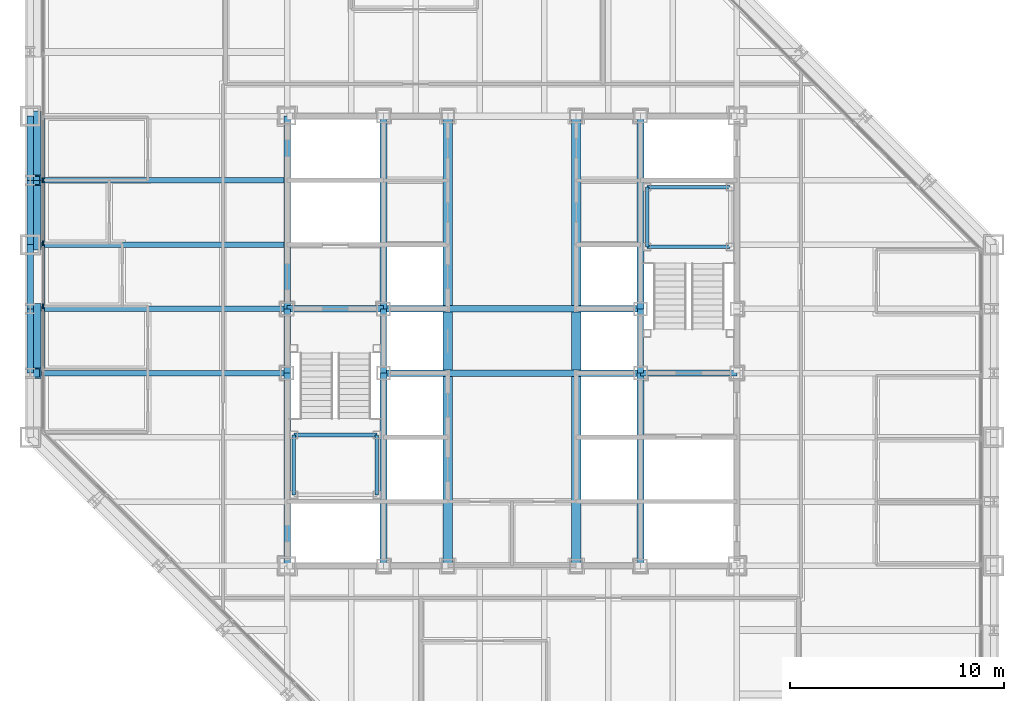
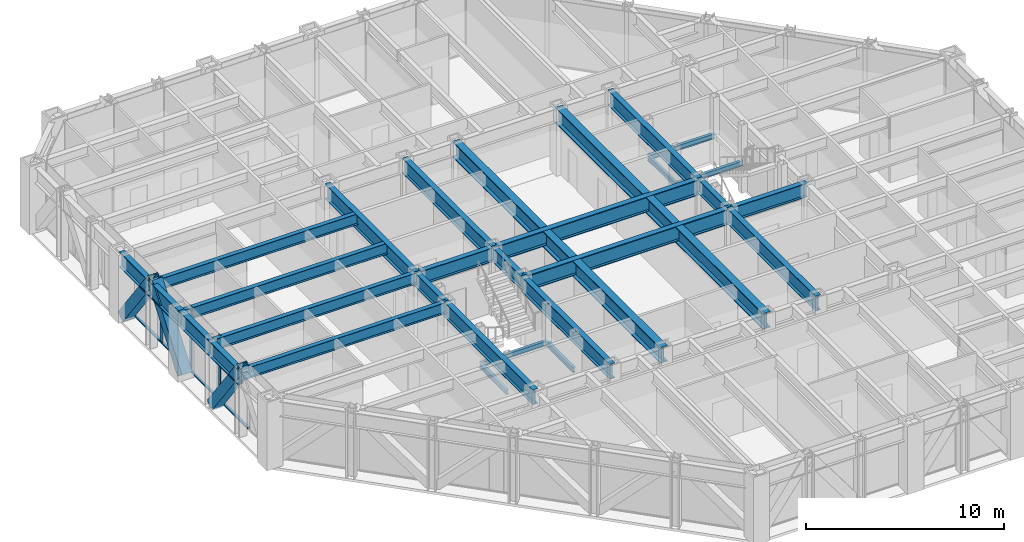
# One storey, part 5 of 16: 33 beams, 10 members, 1 element without a shape of its own.
"""IFC4 building model written with IfcOpenShell, lengths in metres."""

from ifc_helpers import new_model, si_unit, direction, frame, origin, origin_2d, place, context, subcontext, project, spatial, rectangle, hollow_rectangle, i_section, extrude, material, layer, layer_set, material_profile, profile_set, type_object, element, aggregate, save


model = new_model("IFC4")

# Units and contexts
model_context = context("Model", 3, precision=1e-05, world=origin(), true_north=direction((0.0, 1.0)))
body_context = subcontext(model_context, "Body", "Model", "MODEL_VIEW")
ifc_project = project(units=[si_unit("LENGTHUNIT", "METRE"), si_unit("AREAUNIT", "SQUARE_METRE"), si_unit("VOLUMEUNIT", "CUBIC_METRE"), si_unit("PLANEANGLEUNIT", "RADIAN"), si_unit("MASSUNIT", "GRAM", prefix="KILO")], contexts=[model_context])

# Site, building, storey
site_placement = place(None, origin())
site = spatial("IfcSite", under=ifc_project, at=site_placement, CompositionType="ELEMENT")
building_placement = place(site_placement, origin())
building = spatial("IfcBuilding", under=site, at=building_placement, Name="Chuquiago Exchange Tower", CompositionType="ELEMENT")
storey_placement = place(building_placement, frame((0.0, 0.0, 148.800048828125)))
storey = spatial("IfcBuildingStorey", under=building, at=storey_placement, Name="L32", CompositionType="ELEMENT", Elevation=148.800048828125)

# Beams
ifc_material_1 = material(Name="Steel ASTM A992", Category="steel")
ifc_material_profile_1 = material_profile(ifc_material_1, i_section(OverallWidth=0.25390625, OverallDepth=0.683349609375, WebThickness=0.012451171875, FlangeThickness=0.018798828125, at=origin_2d()), Name="W27X94")
ifc_profile_set_1 = profile_set([ifc_material_profile_1], Name="Steel ASTM A992")
beam_type_1 = type_object("IfcBeamType", Name="B1 W27X94", PredefinedType="BEAM", material=ifc_profile_set_1)
for number, where, z_axis, x_axis, name in (
    (1, (12.0, 21.0, 3.6982421875), (-1.0, 0.0, 0.0), (0.0, -1.0, 0.0), "FB-L33-infill-12_21--0_21-0"),
    (2, (12.0, 24.0, 3.6982421875), (-1.0, 0.0, 0.0), (0.0, -1.0, 0.0), "FB-L33-infill-12_24--0_24-0"),
    (3, (12.0, 27.0, 3.6982421875), (-1.0, 0.0, 0.0), (0.0, -1.0, 0.0), "FB-L33-infill-12_27--0_27-0"),
    (4, (12.0, 30.0, 3.6982421875), (-1.0, 0.0, 0.0), (0.0, -1.0, 0.0), "FB-L33-infill-12_30--0_30-0"),
):
    element("IfcBeam", number, at=place(storey_placement, frame(where, z_axis=z_axis, x_axis=x_axis)), inside=storey, type_object=beam_type_1, Name=name, PredefinedType="BEAM", context=body_context, shape_type="SweptSolid", body=[
        extrude(i_section(OverallWidth=0.25390625, OverallDepth=0.683349609375, WebThickness=0.012451171875, FlangeThickness=0.018798828125, at=origin_2d()), origin(), (0.0, 0.0, 1.0), 12.0),
    ])
ifc_material_2 = material(Name="Steel ASTM A992", Category="steel")
ifc_material_profile_2 = material_profile(ifc_material_2, i_section(OverallWidth=0.307373046875, OverallDepth=0.927001953125, WebThickness=0.01953125, FlangeThickness=0.031982421875, at=origin_2d()), Name="W36X194")
ifc_profile_set_2 = profile_set([ifc_material_profile_2], Name="Steel ASTM A992")
beam_type_2 = type_object("IfcBeamType", Name="B10 W36X194", PredefinedType="BEAM", material=ifc_profile_set_2)
for number, where, z_axis, x_axis, name in (
    (5, (12.0, 12.0, 3.576416015625), (0.0, 1.0, 0.0), (-1.0, 0.0, 0.0), "CB-L33-12_12-12_21"),
    (6, (12.0, 24.0, 3.576416015625), (0.0, 1.0, 0.0), (-1.0, 0.0, 0.0), "CB-L33-12_24-12_33"),
    (7, (16.5, 12.0, 3.576416015625), (0.0, 1.0, 0.0), (-1.0, 0.0, 0.0), "CB-L33-16.5_12-16.5_21"),
    (8, (16.5, 24.0, 3.576416015625), (0.0, 1.0, 0.0), (-1.0, 0.0, 0.0), "CB-L33-16.5_24-16.5_33"),
    (9, (28.5, 12.0, 3.576416015625), (0.0, 1.0, 0.0), (-1.0, 0.0, 0.0), "CB-L33-28.5_12-28.5_21"),
    (10, (28.5, 24.0, 3.576416015625), (0.0, 1.0, 0.0), (-1.0, 0.0, 0.0), "CB-L33-28.5_24-28.5_33"),
):
    element("IfcBeam", number, at=place(storey_placement, frame(where, z_axis=z_axis, x_axis=x_axis)), inside=storey, type_object=beam_type_2, Name=name, PredefinedType="BEAM", context=body_context, shape_type="SweptSolid", body=[
        extrude(i_section(OverallWidth=0.307373046875, OverallDepth=0.927001953125, WebThickness=0.01953125, FlangeThickness=0.031982421875, at=origin_2d()), origin(), (0.0, 0.0, 1.0), 9.0),
    ])
ifc_material_3 = material(Name="Steel ASTM A992", Category="steel")
ifc_material_profile_3 = material_profile(ifc_material_3, i_section(OverallWidth=0.309814453125, OverallDepth=0.949951171875, WebThickness=0.0244140625, FlangeThickness=0.0439453125, at=origin_2d()), Name="W36X256")
ifc_profile_set_3 = profile_set([ifc_material_profile_3], Name="Steel ASTM A992")
beam_type_3 = type_object("IfcBeamType", Name="B11 W36X256", PredefinedType="BEAM", material=ifc_profile_set_3)
for number, where, z_axis, x_axis, name in (
    (11, (16.5, 21.0, 3.56494140625), (1.0, 0.0, 0.0), (0.0, 1.0, 0.0), "CB-L33-16.5_21-28.5_21"),
    (12, (16.5, 24.0, 3.56494140625), (1.0, 0.0, 0.0), (0.0, 1.0, 0.0), "CB-L33-16.5_24-28.5_24"),
):
    element("IfcBeam", number, at=place(storey_placement, frame(where, z_axis=z_axis, x_axis=x_axis)), inside=storey, type_object=beam_type_3, Name=name, PredefinedType="BEAM", context=body_context, shape_type="SweptSolid", body=[
        extrude(i_section(OverallWidth=0.309814453125, OverallDepth=0.949951171875, WebThickness=0.0244140625, FlangeThickness=0.0439453125, at=origin_2d()), origin(), (0.0, 0.0, 1.0), 12.0),
    ])
ifc_material_4 = material(Name="Steel ASTM A992", Category="steel")
ifc_material_profile_4 = material_profile(ifc_material_4, i_section(OverallWidth=0.4267578125, OverallDepth=0.975341796875, WebThickness=0.031005859375, FlangeThickness=0.055908203125, at=origin_2d()), Name="W36X395")
ifc_profile_set_4 = profile_set([ifc_material_profile_4], Name="Steel ASTM A992")
beam_type_4 = type_object("IfcBeamType", Name="B12 W36X395", PredefinedType="BEAM", material=ifc_profile_set_4)
beam_1_placement = place(storey_placement, frame((19.5, 12.0, 3.55224609375), z_axis=(0.0, 1.0, 0.0), x_axis=(-1.0, 0.0, 0.0)))
element("IfcBeam", 13, at=beam_1_placement, inside=storey, type_object=beam_type_4, Name="CB-L33-19.5_12-19.5_20.8451", PredefinedType="BEAM", context=body_context, shape_type="SweptSolid", body=[
    extrude(i_section(OverallWidth=0.4267578125, OverallDepth=0.975341796875, WebThickness=0.031005859375, FlangeThickness=0.055908203125, at=origin_2d()), origin(), (0.0, 0.0, 1.0), 8.84521484375),
])
beam_2_placement = place(storey_placement, frame((19.5, 21.15478515625, 3.55224609375), z_axis=(0.0, 1.0, 0.0), x_axis=(-1.0, 0.0, 0.0)))
element("IfcBeam", 14, at=beam_2_placement, inside=storey, type_object=beam_type_4, Name="CB-L33-19.5_21.1549-19.5_23.8451", PredefinedType="BEAM", context=body_context, shape_type="SweptSolid", body=[
    extrude(i_section(OverallWidth=0.4267578125, OverallDepth=0.975341796875, WebThickness=0.031005859375, FlangeThickness=0.055908203125, at=origin_2d()), origin(), (0.0, 0.0, 1.0), 2.6904296875),
])
for number, where, z_axis, x_axis, name in (
    (15, (19.5, 24.15478515625, 3.55224609375), (0.0, 1.0, 0.0), (-1.0, 0.0, 0.0), "CB-L33-19.5_24.1549-19.5_33"),
    (16, (25.5, 12.0, 3.55224609375), (0.0, 1.0, 0.0), (-1.0, 0.0, 0.0), "CB-L33-25.5_12-25.5_20.8451"),
):
    element("IfcBeam", number, at=place(storey_placement, frame(where, z_axis=z_axis, x_axis=x_axis)), inside=storey, type_object=beam_type_4, Name=name, PredefinedType="BEAM", context=body_context, shape_type="SweptSolid", body=[
        extrude(i_section(OverallWidth=0.4267578125, OverallDepth=0.975341796875, WebThickness=0.031005859375, FlangeThickness=0.055908203125, at=origin_2d()), origin(), (0.0, 0.0, 1.0), 8.84521484375),
    ])
beam_3_placement = place(storey_placement, frame((25.5, 21.15478515625, 3.55224609375), z_axis=(0.0, 1.0, 0.0), x_axis=(-1.0, 0.0, 0.0)))
element("IfcBeam", 17, at=beam_3_placement, inside=storey, type_object=beam_type_4, Name="CB-L33-25.5_21.1549-25.5_23.8451", PredefinedType="BEAM", context=body_context, shape_type="SweptSolid", body=[
    extrude(i_section(OverallWidth=0.4267578125, OverallDepth=0.975341796875, WebThickness=0.031005859375, FlangeThickness=0.055908203125, at=origin_2d()), origin(), (0.0, 0.0, 1.0), 2.6904296875),
])
beam_4_placement = place(storey_placement, frame((25.5, 24.15478515625, 3.55224609375), z_axis=(0.0, 1.0, 0.0), x_axis=(-1.0, 0.0, 0.0)))
element("IfcBeam", 18, at=beam_4_placement, inside=storey, type_object=beam_type_4, Name="CB-L33-25.5_24.1549-25.5_33", PredefinedType="BEAM", context=body_context, shape_type="SweptSolid", body=[
    extrude(i_section(OverallWidth=0.4267578125, OverallDepth=0.975341796875, WebThickness=0.031005859375, FlangeThickness=0.055908203125, at=origin_2d()), origin(), (0.0, 0.0, 1.0), 8.84521484375),
])
ifc_material_5 = material(Name="Steel ASTM A992", Category="steel")
ifc_material_profile_5 = material_profile(ifc_material_5, i_section(OverallWidth=0.2919921875, OverallDepth=0.8583984375, WebThickness=0.01708984375, FlangeThickness=0.031005859375, at=origin_2d()), Name="W33X169")
ifc_profile_set_5 = profile_set([ifc_material_profile_5], Name="Steel ASTM A992")
beam_type_5 = type_object("IfcBeamType", Name="B3 W33X169", PredefinedType="BEAM", material=ifc_profile_set_5)
for number, where, z_axis, x_axis, name in (
    (19, (12.0, 21.0, 3.610595703125), (0.0, 1.0, 0.0), (-1.0, 0.0, 0.0), "CB-L33-12_21-12_24"),
    (20, (16.5, 21.0, 3.610595703125), (0.0, 1.0, 0.0), (-1.0, 0.0, 0.0), "CB-L33-16.5_21-16.5_24"),
    (21, (28.5, 21.0, 3.610595703125), (0.0, 1.0, 0.0), (-1.0, 0.0, 0.0), "CB-L33-28.5_21-28.5_24"),
):
    element("IfcBeam", number, at=place(storey_placement, frame(where, z_axis=z_axis, x_axis=x_axis)), inside=storey, type_object=beam_type_5, Name=name, PredefinedType="BEAM", context=body_context, shape_type="SweptSolid", body=[
        extrude(i_section(OverallWidth=0.2919921875, OverallDepth=0.8583984375, WebThickness=0.01708984375, FlangeThickness=0.031005859375, at=origin_2d()), origin(), (0.0, 0.0, 1.0), 3.0),
    ])
for number, where, z_axis, x_axis, name in (
    (22, (28.5, 21.0, 3.610595703125), (1.0, 0.0, 0.0), (0.0, 1.0, 0.0), "CB-L33-28.5_21-33_21"),
    (23, (12.0, 24.0, 3.610595703125), (1.0, 0.0, 0.0), (0.0, 1.0, 0.0), "CB-L33-12_24-16.5_24"),
):
    element("IfcBeam", number, at=place(storey_placement, frame(where, z_axis=z_axis, x_axis=x_axis)), inside=storey, type_object=beam_type_5, Name=name, PredefinedType="BEAM", context=body_context, shape_type="SweptSolid", body=[
        extrude(i_section(OverallWidth=0.2919921875, OverallDepth=0.8583984375, WebThickness=0.01708984375, FlangeThickness=0.031005859375, at=origin_2d()), origin(), (0.0, 0.0, 1.0), 4.5),
    ])

# Curtain wall, members
ifc_material_6 = material(Name="Aluminium curtain wall system", Category="aluminium")
ifc_layer = layer(ifc_material_6, 0.22509765625)
ifc_layer_set = layer_set([ifc_layer], Name="CW2 office curtain wall")
curtain_wall_type = type_object("IfcCurtainWallType", Name="CW2 office curtain wall", PredefinedType="NOTDEFINED", material=ifc_layer_set)
curtain_wall_placement = place(storey_placement, origin())
curtain_wall = element("IfcCurtainWall", 24, at=curtain_wall_placement, inside=storey, type_object=curtain_wall_type, Name="CW2 curtain wall L32", PredefinedType="NOTDEFINED")
ifc_material_7 = material(Name="Aluminium mullion, pale anodised", Category="aluminium")
ifc_material_profile_6 = material_profile(ifc_material_7, rectangle(XDim=0.06494140625, YDim=0.22509765625, at=origin_2d()), Name="AL 65x225")
ifc_profile_set_6 = profile_set([ifc_material_profile_6], Name="Aluminium mullion, pale anodised")
member_type_1 = type_object("IfcMemberType", Name="CW2-M mullion 65x225", PredefinedType="MULLION", material=ifc_profile_set_6)
member_1_placement = place(storey_placement, frame((0.60009765625, 30.0, 0.0), z_axis=(0.0, 0.0, 1.0), x_axis=(1.0, 0.0, 0.0)))
member_1 = element("IfcMember", 25, at=member_1_placement, type_object=member_type_1, Name="CW2 mullion 5", PredefinedType="MULLION", context=body_context, shape_type="SweptSolid", body=[
    extrude(rectangle(XDim=0.06494140625, YDim=0.22509765625, at=origin_2d()), origin(), (0.0, 0.0, 1.0), 4.0400390625),
])
member_2_placement = place(storey_placement, frame((0.60009765625, 27.06201171875, 0.0), z_axis=(0.0, 0.0, 1.0), x_axis=(1.0, 0.0, 0.0)))
member_2 = element("IfcMember", 26, at=member_2_placement, type_object=member_type_1, Name="CW2 mullion 6", PredefinedType="MULLION", context=body_context, shape_type="SweptSolid", body=[
    extrude(rectangle(XDim=0.06494140625, YDim=0.22509765625, at=origin_2d()), origin(), (0.0, 0.0, 1.0), 4.0400390625),
])
member_3_placement = place(storey_placement, frame((0.60009765625, 24.124267578125, 0.0), z_axis=(0.0, 0.0, 1.0), x_axis=(1.0, 0.0, 0.0)))
member_3 = element("IfcMember", 27, at=member_3_placement, type_object=member_type_1, Name="CW2 mullion 7", PredefinedType="MULLION", context=body_context, shape_type="SweptSolid", body=[
    extrude(rectangle(XDim=0.06494140625, YDim=0.22509765625, at=origin_2d()), origin(), (0.0, 0.0, 1.0), 4.0400390625),
])
ifc_material_8 = material(Name="Aluminium transom, pale anodised", Category="aluminium")
ifc_material_profile_7 = material_profile(ifc_material_8, rectangle(XDim=0.139892578125, YDim=0.06494140625, at=origin_2d()), Name="AL 140x65")
ifc_profile_set_7 = profile_set([ifc_material_profile_7], Name="Aluminium transom, pale anodised")
member_type_2 = type_object("IfcMemberType", Name="CW2-T transom 65x140", PredefinedType="MULLION", material=ifc_profile_set_7)
member_4_placement = place(storey_placement, frame((0.60009765625, 32.9052734375, 0.032470703125), z_axis=(0.0, -1.0, 0.0), x_axis=(1.0, 0.0, 0.0)))
member_4 = element("IfcMember", 28, at=member_4_placement, type_object=member_type_2, Name="CW2 transom 4.1", PredefinedType="MULLION", context=body_context, shape_type="SweptSolid", body=[
    extrude(rectangle(XDim=0.139892578125, YDim=0.06494140625, at=origin_2d()), origin(), (0.0, 0.0, 1.0), 2.872802734375),
])
member_5_placement = place(storey_placement, frame((0.60009765625, 29.967529296875, 0.032470703125), z_axis=(0.0, -1.0, 0.0), x_axis=(1.0, 0.0, 0.0)))
member_5 = element("IfcMember", 29, at=member_5_placement, type_object=member_type_2, Name="CW2 transom 5.1", PredefinedType="MULLION", context=body_context, shape_type="SweptSolid", body=[
    extrude(rectangle(XDim=0.139892578125, YDim=0.06494140625, at=origin_2d()), origin(), (0.0, 0.0, 1.0), 2.872802734375),
])
member_6_placement = place(storey_placement, frame((0.60009765625, 27.029541015625, 0.032470703125), z_axis=(0.0, -1.0, 0.0), x_axis=(1.0, 0.0, 0.0)))
member_6 = element("IfcMember", 30, at=member_6_placement, type_object=member_type_2, Name="CW2 transom 6.1", PredefinedType="MULLION", context=body_context, shape_type="SweptSolid", body=[
    extrude(rectangle(XDim=0.139892578125, YDim=0.06494140625, at=origin_2d()), origin(), (0.0, 0.0, 1.0), 2.872802734375),
])
member_7_placement = place(storey_placement, frame((0.60009765625, 24.091796875, 0.032470703125), z_axis=(0.0, -1.0, 0.0), x_axis=(1.0, 0.0, 0.0)))
member_7 = element("IfcMember", 31, at=member_7_placement, type_object=member_type_2, Name="CW2 transom 7.1", PredefinedType="MULLION", context=body_context, shape_type="SweptSolid", body=[
    extrude(rectangle(XDim=0.139892578125, YDim=0.06494140625, at=origin_2d()), origin(), (0.0, 0.0, 1.0), 2.872802734375),
])
aggregate(curtain_wall, [member_1, member_2, member_3, member_4, member_5, member_6, member_7])

# Beams
ifc_material_9 = material(Name="Steel ASTM A992", Category="steel")
ifc_material_profile_8 = material_profile(ifc_material_9, i_section(OverallWidth=0.164794921875, OverallDepth=0.309814453125, WebThickness=0.005859375, FlangeThickness=0.009765625, at=origin_2d()), Name="W12X26")
ifc_profile_set_8 = profile_set([ifc_material_profile_8], Name="Steel ASTM A992")
beam_type_6 = type_object("IfcBeamType", Name="LS1 W12X26", PredefinedType="BEAM", material=ifc_profile_set_8)
for number, where, z_axis, x_axis, name in (
    (32, (12.31005859375, 15.31005859375, 1.7451171875), (0.0, 1.0, 0.0), (-1.0, 0.0, 0.0), "Stair ST1 L32 landing 1 stringer"),
    (33, (16.18994140625, 15.31005859375, 1.7451171875), (0.0, 1.0, 0.0), (-1.0, 0.0, 0.0), "Stair ST1 L32 landing 1 stringer"),
    (34, (28.81005859375, 26.889892578125, 1.7451171875), (0.0, 1.0, 0.0), (-1.0, 0.0, 0.0), "Stair ST2 L32 landing 1 stringer"),
):
    element("IfcBeam", number, at=place(storey_placement, frame(where, z_axis=z_axis, x_axis=x_axis)), inside=storey, type_object=beam_type_6, Name=name, PredefinedType="BEAM", context=body_context, shape_type="SweptSolid", body=[
        extrude(i_section(OverallWidth=0.164794921875, OverallDepth=0.309814453125, WebThickness=0.005859375, FlangeThickness=0.009765625, at=origin_2d()), origin(), (0.0, 0.0, 1.0), 2.800048828125),
    ])
ifc_material_10 = material(Name="Steel ASTM A992", Category="steel")
ifc_material_profile_9 = material_profile(ifc_material_10, i_section(OverallWidth=0.164794921875, OverallDepth=0.309814453125, WebThickness=0.005859375, FlangeThickness=0.009765625, at=origin_2d()), Name="W12X26")
ifc_profile_set_9 = profile_set([ifc_material_profile_9], Name="Steel ASTM A992")
beam_type_7 = type_object("IfcBeamType", Name="LT1 W12X26", PredefinedType="BEAM", material=ifc_profile_set_9)
for number, where, z_axis, x_axis, name in (
    (35, (12.31005859375, 18.110107421875, 1.7451171875), (1.0, 0.0, 0.0), (0.0, 1.0, 0.0), "Stair ST1 L32 landing 1 trimmer"),
    (36, (28.81005859375, 29.68994140625, 1.7451171875), (1.0, 0.0, 0.0), (0.0, 1.0, 0.0), "Stair ST2 L32 landing 1 trimmer"),
    (37, (28.81005859375, 26.889892578125, 1.7451171875), (1.0, 0.0, 0.0), (0.0, 1.0, 0.0), "Stair ST2 L32 landing 1 trimmer"),
):
    element("IfcBeam", number, at=place(storey_placement, frame(where, z_axis=z_axis, x_axis=x_axis)), inside=storey, type_object=beam_type_7, Name=name, PredefinedType="BEAM", context=body_context, shape_type="SweptSolid", body=[
        extrude(i_section(OverallWidth=0.164794921875, OverallDepth=0.309814453125, WebThickness=0.005859375, FlangeThickness=0.009765625, at=origin_2d()), origin(), (0.0, 0.0, 1.0), 3.8798828125),
    ])

# Members
ifc_material_11 = material(Name="Steel ASTM A572 Grade 50", Category="steel")
ifc_material_profile_10 = material_profile(ifc_material_11, hollow_rectangle(XDim=0.60009765625, YDim=0.60009765625, WallThickness=0.06005859375, at=origin_2d()), Name="BOX600X600X60")
ifc_profile_set_10 = profile_set([ifc_material_profile_10], Name="Steel ASTM A572 Grade 50")
member_type_3 = type_object("IfcMemberType", Name="MB2 BOX600X600X60", PredefinedType="BRACE", material=ifc_profile_set_10)
for number, where, z_axis, x_axis, name in (
    (38, (0.205078125, 33.0, 0.0), (0.0, -0.596173923302, 0.802855312728), (1.0, 0.0, 0.0), "Mega diagonal L32 W face"),
    (39, (0.205078125, 27.0, 0.0), (0.0, 0.596173923302, 0.802855312728), (-1.0, 0.0, 0.0), "Mega diagonal L32 W face"),
    (40, (0.205078125, 24.0, 0.0), (0.0, -0.596173923302, 0.802855312728), (1.0, 0.0, 0.0), "Mega diagonal L32 W face"),
):
    element("IfcMember", number, at=place(storey_placement, frame(where, z_axis=z_axis, x_axis=x_axis)), inside=storey, type_object=member_type_3, Name=name, PredefinedType="BRACE", context=body_context, shape_type="SweptSolid", body=[
        extrude(hollow_rectangle(XDim=0.60009765625, YDim=0.60009765625, WallThickness=0.06005859375, at=origin_2d()), origin(), (0.0, 0.0, 1.0), 5.031982421875),
    ])

# Beams
ifc_material_12 = material(Name="Steel ASTM A992", Category="steel")
ifc_material_profile_11 = material_profile(ifc_material_12, i_section(OverallWidth=0.309814453125, OverallDepth=0.949951171875, WebThickness=0.0244140625, FlangeThickness=0.0439453125, at=origin_2d()), Name="W36X256")
ifc_profile_set_11 = profile_set([ifc_material_profile_11], Name="Steel ASTM A992")
beam_type_8 = type_object("IfcBeamType", Name="SP2 W36X256", PredefinedType="SPANDREL", material=ifc_profile_set_11)
for number, where, z_axis, x_axis, name in (
    (41, (0.0, 33.0, 3.56494140625), (0.0, -1.0, 0.0), (1.0, 0.0, 0.0), "SPB-L33-0_33-0_30"),
    (42, (0.0, 30.0, 3.56494140625), (0.0, -1.0, 0.0), (1.0, 0.0, 0.0), "SPB-L33-0_30-0_27"),
    (43, (0.0, 27.0, 3.56494140625), (0.0, -1.0, 0.0), (1.0, 0.0, 0.0), "SPB-L33-0_27-0_24"),
    (44, (0.0, 24.0, 3.56494140625), (0.0, -1.0, 0.0), (1.0, 0.0, 0.0), "SPB-L33-0_24-0_21"),
):
    element("IfcBeam", number, at=place(storey_placement, frame(where, z_axis=z_axis, x_axis=x_axis)), inside=storey, type_object=beam_type_8, Name=name, PredefinedType="SPANDREL", context=body_context, shape_type="SweptSolid", body=[
        extrude(i_section(OverallWidth=0.309814453125, OverallDepth=0.949951171875, WebThickness=0.0244140625, FlangeThickness=0.0439453125, at=origin_2d()), origin(), (0.0, 0.0, 1.0), 3.0),
    ])

save(model, "model.ifc")
